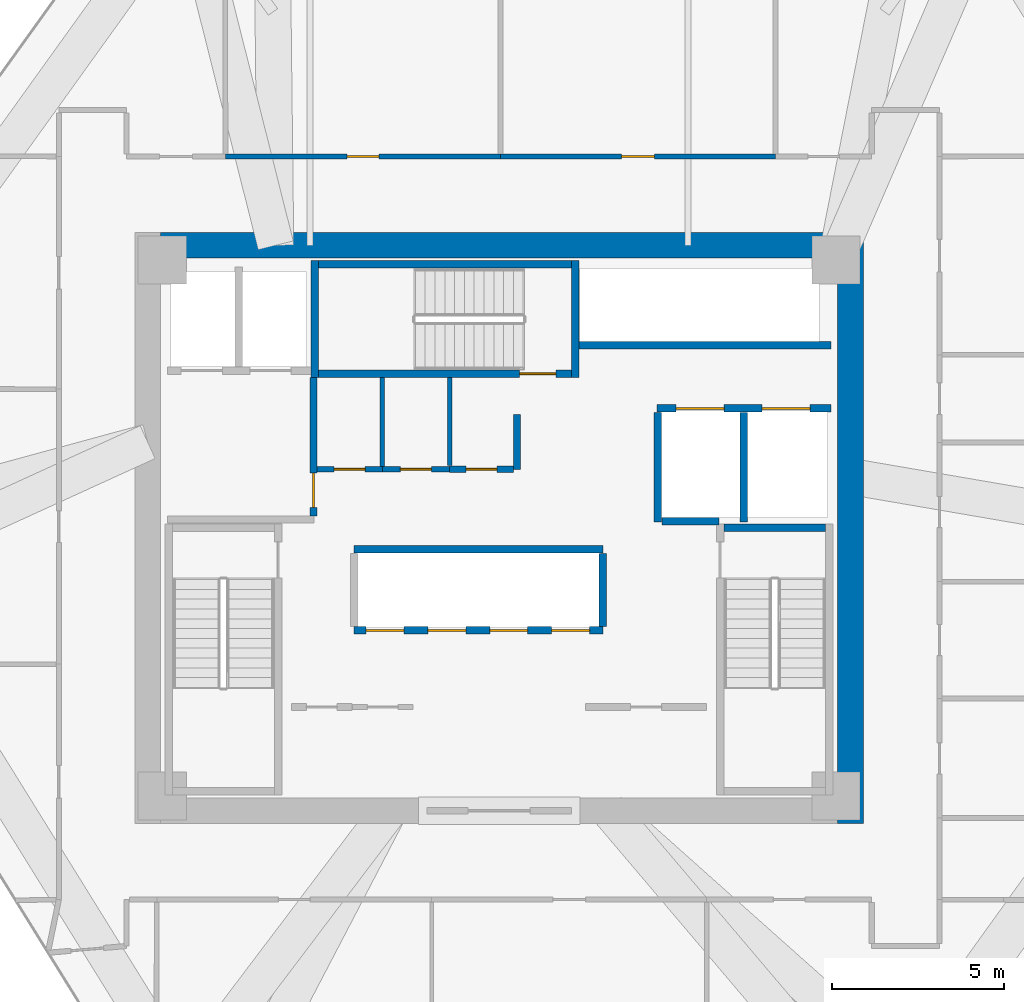
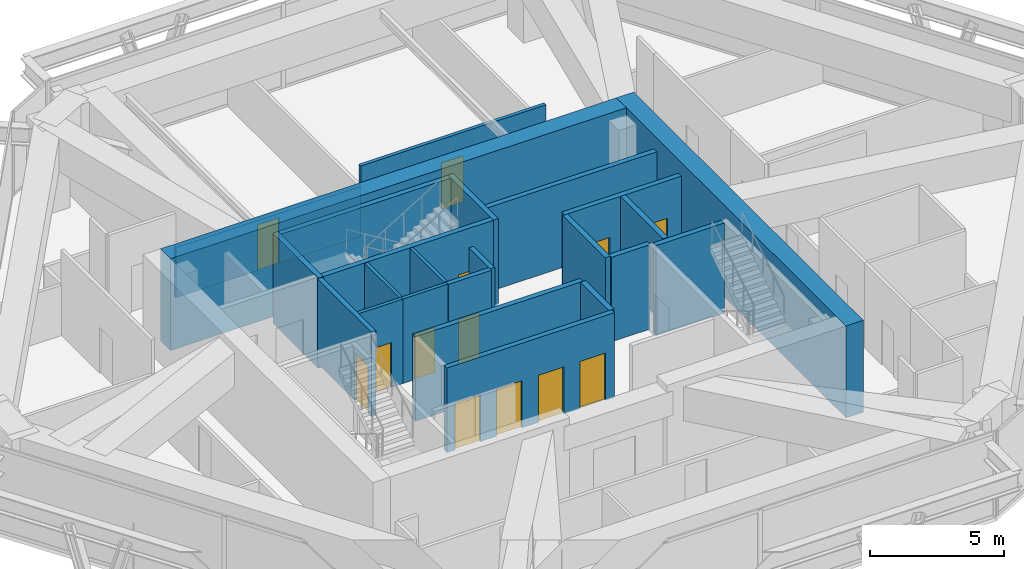
# One storey, part 11 of 14: 24 walls, 13 doors, 13 openings.
"""IFC4 building model written with IfcOpenShell, lengths in metres."""

from ifc_helpers import new_model, si_unit, direction, frame, frame_2d, origin, place, context, subcontext, project, spatial, rectangle, extrude, source, transform, mapped, material, layer, layer_set, type_object, type_shapes, element, fill, save


model = new_model("IFC4")

# Units and contexts
model_context = context("Model", 3, precision=1e-05, world=origin(), true_north=direction((0.0, 1.0)))
body_context = subcontext(model_context, "Body", "Model", "MODEL_VIEW")
ifc_project = project(units=[si_unit("LENGTHUNIT", "METRE"), si_unit("AREAUNIT", "SQUARE_METRE"), si_unit("VOLUMEUNIT", "CUBIC_METRE"), si_unit("PLANEANGLEUNIT", "RADIAN"), si_unit("MASSUNIT", "GRAM", prefix="KILO")], contexts=[model_context])

# Site, building, storey
site_placement = place(None, origin())
site = spatial("IfcSite", under=ifc_project, at=site_placement, CompositionType="ELEMENT")
building_placement = place(site_placement, origin())
building = spatial("IfcBuilding", under=site, at=building_placement, Name="Durnholm Broadcast Tower", CompositionType="ELEMENT")
storey_placement = place(building_placement, frame((0.0, 0.0, 146.10009765625)))
storey = spatial("IfcBuildingStorey", under=building, at=storey_placement, Name="L40", CompositionType="ELEMENT", Elevation=146.10009765625)

# Walls
ifc_material_1 = material(Name="Concrete C70/85", Category="concrete")
ifc_layer_1 = layer(ifc_material_1, 0.75)
ifc_layer_set_1 = layer_set([ifc_layer_1], Name="Concrete C70/85")
wall_type_1 = type_object("IfcWallType", Name="WALL-CW-750", PredefinedType="SHEAR", material=ifc_layer_set_1)
wall_1_placement = place(storey_placement, frame((10.22509765625, -8.60009765625, 0.0), z_axis=(0.0, 0.0, 1.0), x_axis=(0.0, 1.0, 0.0)))
element("IfcWall", 1, at=wall_1_placement, inside=storey, type_object=wall_type_1, Name="L40 central core shear wall CW-EAST", PredefinedType="SHEAR", context=body_context, shape_type="SweptSolid", body=[
    extrude(rectangle(XDim=17.2001953125, YDim=0.75, at=frame_2d((8.60009765625, 0.0))), origin(), (0.0, 0.0, 1.0), 4.199951171875),
])
wall_2_placement = place(storey_placement, frame((-9.85009765625, 8.22509765625, 0.0), z_axis=(0.0, 0.0, 1.0), x_axis=(1.0, 0.0, 0.0)))
element("IfcWall", 2, at=wall_2_placement, inside=storey, type_object=wall_type_1, Name="L40 central core shear wall CW-N", PredefinedType="SHEAR", context=body_context, shape_type="SweptSolid", body=[
    extrude(rectangle(XDim=19.7001953125, YDim=0.75, at=frame_2d((9.85009765625, 0.0))), origin(), (0.0, 0.0, 1.0), 4.199951171875),
])

# Wall, opening, door
ifc_material_2 = material(Name="Fire-Rated Gypsum Shaftwall", Category="concrete")
ifc_layer_2 = layer(ifc_material_2, 0.199951171875)
ifc_layer_set_2 = layer_set([ifc_layer_2], Name="Fire-Rated Gypsum Shaftwall")
wall_type_2 = type_object("IfcWallType", Name="WALL-LOB-200", PredefinedType="SOLIDWALL", material=ifc_layer_set_2)
wall_3_placement = place(storey_placement, frame((-5.39990234375, 0.35400390625, 0.0), z_axis=(0.0, 0.0, 1.0), x_axis=(0.0, 1.0, 0.0)))
wall_3 = element("IfcWall", 3, at=wall_3_placement, inside=storey, type_object=wall_type_2, Name="L40 Fire Service Access Elevator lobby east fire wall", PredefinedType="SOLIDWALL", context=body_context, shape_type="SweptSolid", body=[
    extrude(rectangle(XDim=4.02587890625, YDim=0.199951171875, at=frame_2d((2.012939453125, 0.0))), origin(), (0.0, 0.0, 1.0), 3.864990234375),
])
opening_1_placement = place(wall_3_placement, frame((0.24609375, 0.0, 0.0)))
opening_1 = element("IfcOpeningElement", 4, at=opening_1_placement, cuts=wall_3, Name="Opening DL-60L", PredefinedType="OPENING", context=body_context, shape_type="SweptSolid", body=[
    extrude(rectangle(XDim=1.0, YDim=2.14990234375, at=frame_2d((0.5, 1.074951171875))), frame((0.0, 0.10986328125, 0.0), z_axis=(0.0, -1.0, 0.0), x_axis=(1.0, 0.0, 0.0)), (0.0, 0.0, 1.0), 0.219970703125),
])
ifc_material_3 = material(Name="Fire-Rated Timber/Steel Door", Category="steel")
ifc_layer_3 = layer(ifc_material_3, 0.050048828125)
ifc_layer_set_3 = layer_set([ifc_layer_3], Name="Fire-Rated Timber/Steel Door")
door_type_1 = type_object("IfcDoorType", Name="DOOR-LOB-FD60-L", OperationType="NOTDEFINED", PredefinedType="DOOR", material=ifc_layer_set_3)
shared_shape_1 = source(origin(), body_context, "Body", "SweptSolid", [
    extrude(rectangle(XDim=1.0, YDim=2.14990234375, at=frame_2d((0.5, 1.074951171875))), frame((0.0, 0.02490234375, 0.0), z_axis=(0.0, -1.0, 0.0), x_axis=(1.0, 0.0, 0.0)), (0.0, 0.0, 1.0), 0.050048828125),
])
type_shapes(door_type_1, [shared_shape_1])
door_1_placement = place(opening_1_placement, origin())
door_1 = element("IfcDoor", 5, at=door_1_placement, inside=storey, type_object=door_type_1, Name="L40 Fire Service Access Elevator lobby smoke door", OperationType="SINGLE_SWING_LEFT", OverallHeight=2.14990234375, OverallWidth=1.0, PredefinedType="DOOR", context=body_context, shape_type="MappedRepresentation", body=[
    mapped(shared_shape_1, transform((0.0, 0.0, 0.0), x_axis=(1.0, 0.0, 0.0), y_axis=(0.0, 1.0, 0.0), z_axis=(0.0, 0.0, 1.0), scale=1.0)),
])
fill(opening_1, door_1)

# Wall
wall_4_placement = place(storey_placement, frame((0.52001953125, 3.300048828125, 0.0), z_axis=(0.0, 0.0, 1.0), x_axis=(0.0, -1.0, 0.0)))
element("IfcWall", 6, at=wall_4_placement, inside=storey, type_object=wall_type_2, Name="L40 Core Telecom Patch Room corridor partition", PredefinedType="SOLIDWALL", context=body_context, shape_type="SweptSolid", body=[
    extrude(rectangle(XDim=1.590087890625, YDim=0.199951171875, at=frame_2d((0.794921875, 0.0))), origin(), (0.0, 0.0, 1.0), 3.864990234375),
])

# Wall, opening, door
wall_5_placement = place(storey_placement, frame((0.416015625, 1.7099609375, 0.0), z_axis=(0.0, 0.0, 1.0), x_axis=(-1.0, 0.0, 0.0)))
wall_5 = element("IfcWall", 7, at=wall_5_placement, inside=storey, type_object=wall_type_2, Name="L40 Core Telecom Patch Room corridor partition", PredefinedType="SOLIDWALL", context=body_context, shape_type="SweptSolid", body=[
    extrude(rectangle(XDim=1.85595703125, YDim=0.199951171875, at=frame_2d((0.927978515625, 0.0))), origin(), (0.0, 0.0, 1.0), 3.864990234375),
])
opening_2_placement = place(wall_5_placement, frame((0.47802734375, 0.0, 0.0)))
opening_2 = element("IfcOpeningElement", 8, at=opening_2_placement, cuts=wall_5, Name="Opening DC-60L", PredefinedType="OPENING", context=body_context, shape_type="SweptSolid", body=[
    extrude(rectangle(XDim=0.89990234375, YDim=2.050048828125, at=frame_2d((0.449951171875, 1.02490234375))), frame((0.0, 0.10986328125, 0.0), z_axis=(0.0, -1.0, 0.0), x_axis=(1.0, 0.0, 0.0)), (0.0, 0.0, 1.0), 0.219970703125),
])
ifc_material_4 = material(Name="Fire-Rated Core Service Door", Category="steel")
ifc_layer_4 = layer(ifc_material_4, 0.050048828125)
ifc_layer_set_4 = layer_set([ifc_layer_4], Name="Fire-Rated Core Service Door")
door_type_2 = type_object("IfcDoorType", Name="DOOR-CORE-FD60-L", OperationType="NOTDEFINED", PredefinedType="DOOR", material=ifc_layer_set_4)
shared_shape_2 = source(origin(), body_context, "Body", "SweptSolid", [
    extrude(rectangle(XDim=0.89990234375, YDim=2.050048828125, at=frame_2d((0.449951171875, 1.02490234375))), frame((0.0, 0.02490234375, 0.0), z_axis=(0.0, -1.0, 0.0), x_axis=(1.0, 0.0, 0.0)), (0.0, 0.0, 1.0), 0.050048828125),
])
type_shapes(door_type_2, [shared_shape_2])
door_2_placement = place(opening_2_placement, origin())
door_2 = element("IfcDoor", 9, at=door_2_placement, inside=storey, type_object=door_type_2, Name="L40 Core Telecom Patch Room entrance door", OperationType="SINGLE_SWING_LEFT", OverallHeight=2.050048828125, OverallWidth=0.89990234375, PredefinedType="DOOR", context=body_context, shape_type="MappedRepresentation", body=[
    mapped(shared_shape_2, transform((0.0, 0.0, 0.0), x_axis=(1.0, 0.0, 0.0), y_axis=(0.0, 1.0, 0.0), z_axis=(0.0, 0.0, 1.0), scale=1.0)),
])
fill(opening_2, door_2)

# Walls
ifc_material_5 = material(Name="Gypsum Metal Stud Partition", Category="concrete")
ifc_layer_5 = layer(ifc_material_5, 0.135009765625)
ifc_layer_set_5 = layer_set([ifc_layer_5], Name="Gypsum Metal Stud Partition")
wall_type_3 = type_object("IfcWallType", Name="WALL-PART-135", PredefinedType="PARTITIONING", material=ifc_layer_set_5)
wall_6_placement = place(storey_placement, frame((-3.39990234375, 4.375, 0.0), z_axis=(0.0, 0.0, 1.0), x_axis=(0.0, -1.0, 0.0)))
element("IfcWall", 10, at=wall_6_placement, inside=storey, type_object=wall_type_3, Name="L40 room dividing partition 4.5", PredefinedType="PARTITIONING", context=body_context, shape_type="SweptSolid", body=[
    extrude(rectangle(XDim=2.5859375, YDim=0.135009765625, at=frame_2d((1.29296875, 0.0))), origin(), (0.0, 0.0, 1.0), 3.864990234375),
])
wall_7_placement = place(storey_placement, frame((-1.43994140625, 4.375, 0.0), z_axis=(0.0, 0.0, 1.0), x_axis=(0.0, -1.0, 0.0)))
element("IfcWall", 11, at=wall_7_placement, inside=storey, type_object=wall_type_3, Name="L40 room dividing partition 5.6", PredefinedType="PARTITIONING", context=body_context, shape_type="SweptSolid", body=[
    extrude(rectangle(XDim=2.56103515625, YDim=0.135009765625, at=frame_2d((1.280517578125, 0.0))), origin(), (0.0, 0.0, 1.0), 3.864990234375),
])

# Wall, opening, door
ifc_material_6 = material(Name="Acoustic Gypsum Stud Partition", Category="concrete")
ifc_layer_6 = layer(ifc_material_6, 0.14990234375)
ifc_layer_set_6 = layer_set([ifc_layer_6], Name="Acoustic Gypsum Stud Partition")
wall_type_4 = type_object("IfcWallType", Name="WALL-PART-150", PredefinedType="PARTITIONING", material=ifc_layer_set_6)
wall_8_placement = place(storey_placement, frame((-3.39990234375, 1.7099609375, 0.0), z_axis=(0.0, 0.0, 1.0), x_axis=(-1.0, 0.0, 0.0)))
wall_8 = element("IfcWall", 12, at=wall_8_placement, inside=storey, type_object=wall_type_4, Name="L40 Core Copy and Print Closet corridor partition", PredefinedType="PARTITIONING", context=body_context, shape_type="SweptSolid", body=[
    extrude(rectangle(XDim=1.89599609375, YDim=0.14990234375, at=frame_2d((0.947998046875, 0.0))), origin(), (0.0, 0.0, 1.0), 3.864990234375),
])
opening_3_placement = place(wall_8_placement, frame((0.498046875, 0.0, 0.0)))
opening_3 = element("IfcOpeningElement", 13, at=opening_3_placement, cuts=wall_8, Name="Opening DC-60L", PredefinedType="OPENING", context=body_context, shape_type="SweptSolid", body=[
    extrude(rectangle(XDim=0.89990234375, YDim=2.050048828125, at=frame_2d((0.449951171875, 1.02490234375))), frame((0.0, 0.0849609375, 0.0), z_axis=(0.0, -1.0, 0.0), x_axis=(1.0, 0.0, 0.0)), (0.0, 0.0, 1.0), 0.169921875),
])
door_3_placement = place(opening_3_placement, origin())
door_3 = element("IfcDoor", 14, at=door_3_placement, inside=storey, type_object=door_type_2, Name="L40 Core Copy and Print Closet entrance door", OperationType="SINGLE_SWING_LEFT", OverallHeight=2.050048828125, OverallWidth=0.89990234375, PredefinedType="DOOR", context=body_context, shape_type="MappedRepresentation", body=[
    mapped(shared_shape_2, transform((0.0, 0.0, 0.0), x_axis=(1.0, 0.0, 0.0), y_axis=(0.0, 1.0, 0.0), z_axis=(0.0, 0.0, 1.0), scale=1.0)),
])
fill(opening_3, door_3)

wall_9_placement = place(storey_placement, frame((-1.43994140625, 1.7099609375, 0.0), z_axis=(0.0, 0.0, 1.0), x_axis=(-1.0, 0.0, 0.0)))
wall_9 = element("IfcWall", 15, at=wall_9_placement, inside=storey, type_object=wall_type_4, Name="L40 Core Janitor Supply Closet corridor partition", PredefinedType="PARTITIONING", context=body_context, shape_type="SweptSolid", body=[
    extrude(rectangle(XDim=1.9599609375, YDim=0.14990234375, at=frame_2d((0.97998046875, 0.0))), origin(), (0.0, 0.0, 1.0), 3.864990234375),
])
opening_4_placement = place(wall_9_placement, frame((0.530029296875, 0.0, 0.0)))
opening_4 = element("IfcOpeningElement", 16, at=opening_4_placement, cuts=wall_9, Name="Opening DC-60R", PredefinedType="OPENING", context=body_context, shape_type="SweptSolid", body=[
    extrude(rectangle(XDim=0.89990234375, YDim=2.050048828125, at=frame_2d((0.449951171875, 1.02490234375))), frame((0.0, 0.0849609375, 0.0), z_axis=(0.0, -1.0, 0.0), x_axis=(1.0, 0.0, 0.0)), (0.0, 0.0, 1.0), 0.169921875),
])
ifc_layer_7 = layer(ifc_material_4, 0.050048828125)
ifc_layer_set_7 = layer_set([ifc_layer_7], Name="Fire-Rated Core Service Door")
door_type_3 = type_object("IfcDoorType", Name="DOOR-CORE-FD60-R", OperationType="NOTDEFINED", PredefinedType="DOOR", material=ifc_layer_set_7)
shared_shape_3 = source(origin(), body_context, "Body", "SweptSolid", [
    extrude(rectangle(XDim=0.89990234375, YDim=2.050048828125, at=frame_2d((0.449951171875, 1.02490234375))), frame((0.0, 0.02490234375, 0.0), z_axis=(0.0, -1.0, 0.0), x_axis=(1.0, 0.0, 0.0)), (0.0, 0.0, 1.0), 0.050048828125),
])
type_shapes(door_type_3, [shared_shape_3])
door_4_placement = place(opening_4_placement, origin())
door_4 = element("IfcDoor", 17, at=door_4_placement, inside=storey, type_object=door_type_3, Name="L40 Core Janitor Supply Closet entrance door", OperationType="SINGLE_SWING_RIGHT", OverallHeight=2.050048828125, OverallWidth=0.89990234375, PredefinedType="DOOR", context=body_context, shape_type="MappedRepresentation", body=[
    mapped(shared_shape_3, transform((0.0, 0.0, 0.0), x_axis=(1.0, 0.0, 0.0), y_axis=(0.0, 1.0, 0.0), z_axis=(0.0, 0.0, 1.0), scale=1.0)),
])
fill(opening_4, door_4)

wall_10_placement = place(storey_placement, frame((0.0400390625, 10.81005859375, 0.0), z_axis=(0.0, 0.0, 1.0), x_axis=(-1.0, 0.0, 0.0)))
wall_10 = element("IfcWall", 18, at=wall_10_placement, inside=storey, type_object=wall_type_4, Name="L40 Compliance Office 2 corridor partition", PredefinedType="PARTITIONING", context=body_context, shape_type="SweptSolid", body=[
    extrude(rectangle(XDim=8.0, YDim=0.14990234375, at=frame_2d((4.0, 0.0))), origin(), (0.0, 0.0, 1.0), 2.2998046875),
])
opening_5_placement = place(wall_10_placement, frame((3.5400390625, 0.0, 0.0)))
opening_5 = element("IfcOpeningElement", 19, at=opening_5_placement, cuts=wall_10, Name="Opening DR-92R", PredefinedType="OPENING", context=body_context, shape_type="SweptSolid", body=[
    extrude(rectangle(XDim=0.919921875, YDim=2.10009765625, at=frame_2d((0.4599609375, 1.050048828125))), frame((0.0, 0.0849609375, 0.0), z_axis=(0.0, -1.0, 0.0), x_axis=(1.0, 0.0, 0.0)), (0.0, 0.0, 1.0), 0.169921875),
])
ifc_material_7 = material(Name="Oak Veneer Office Door", Category="wood")
ifc_layer_8 = layer(ifc_material_7, 0.050048828125)
ifc_layer_set_8 = layer_set([ifc_layer_8], Name="Oak Veneer Office Door")
door_type_4 = type_object("IfcDoorType", Name="DOOR-RM-920R", OperationType="NOTDEFINED", PredefinedType="DOOR", material=ifc_layer_set_8)
shared_shape_4 = source(origin(), body_context, "Body", "SweptSolid", [
    extrude(rectangle(XDim=0.919921875, YDim=2.10009765625, at=frame_2d((0.4599609375, 1.050048828125))), frame((0.0, 0.02490234375, 0.0), z_axis=(0.0, -1.0, 0.0), x_axis=(1.0, 0.0, 0.0)), (0.0, 0.0, 1.0), 0.050048828125),
])
type_shapes(door_type_4, [shared_shape_4])
door_5_placement = place(opening_5_placement, origin())
door_5 = element("IfcDoor", 20, at=door_5_placement, inside=storey, type_object=door_type_4, Name="L40 Compliance Office 2 entrance door", OperationType="SINGLE_SWING_RIGHT", OverallHeight=2.10009765625, OverallWidth=0.919921875, PredefinedType="DOOR", context=body_context, shape_type="MappedRepresentation", body=[
    mapped(shared_shape_4, transform((0.0, 0.0, 0.0), x_axis=(1.0, 0.0, 0.0), y_axis=(0.0, 1.0, 0.0), z_axis=(0.0, 0.0, 1.0), scale=1.0)),
])
fill(opening_5, door_5)

wall_11_placement = place(storey_placement, frame((8.0400390625, 10.81005859375, 0.0), z_axis=(0.0, 0.0, 1.0), x_axis=(-1.0, 0.0, 0.0)))
wall_11 = element("IfcWall", 21, at=wall_11_placement, inside=storey, type_object=wall_type_4, Name="L40 Captioning Office corridor partition", PredefinedType="PARTITIONING", context=body_context, shape_type="SweptSolid", body=[
    extrude(rectangle(XDim=8.0, YDim=0.14990234375, at=frame_2d((4.0, 0.0))), origin(), (0.0, 0.0, 1.0), 3.22314453125),
])
opening_6_placement = place(wall_11_placement, frame((3.52490234375, 0.0, 0.0)))
opening_6 = element("IfcOpeningElement", 22, at=opening_6_placement, cuts=wall_11, Name="Opening DR-95L", PredefinedType="OPENING", context=body_context, shape_type="SweptSolid", body=[
    extrude(rectangle(XDim=0.949951171875, YDim=2.10009765625, at=frame_2d((0.47509765625, 1.050048828125))), frame((0.0, 0.0849609375, 0.0), z_axis=(0.0, -1.0, 0.0), x_axis=(1.0, 0.0, 0.0)), (0.0, 0.0, 1.0), 0.169921875),
])
ifc_material_8 = material(Name="Acoustic Oak Veneer Timber Door", Category="wood")
ifc_layer_9 = layer(ifc_material_8, 0.050048828125)
ifc_layer_set_9 = layer_set([ifc_layer_9], Name="Acoustic Oak Veneer Timber Door")
door_type_5 = type_object("IfcDoorType", Name="DOOR-RM-950L", OperationType="NOTDEFINED", PredefinedType="DOOR", material=ifc_layer_set_9)
shared_shape_5 = source(origin(), body_context, "Body", "SweptSolid", [
    extrude(rectangle(XDim=0.949951171875, YDim=2.10009765625, at=frame_2d((0.47509765625, 1.050048828125))), frame((0.0, 0.02490234375, 0.0), z_axis=(0.0, -1.0, 0.0), x_axis=(1.0, 0.0, 0.0)), (0.0, 0.0, 1.0), 0.050048828125),
])
type_shapes(door_type_5, [shared_shape_5])
door_6_placement = place(opening_6_placement, origin())
door_6 = element("IfcDoor", 23, at=door_6_placement, inside=storey, type_object=door_type_5, Name="L40 Captioning Office entrance door", OperationType="SINGLE_SWING_LEFT", OverallHeight=2.10009765625, OverallWidth=0.949951171875, PredefinedType="DOOR", context=body_context, shape_type="MappedRepresentation", body=[
    mapped(shared_shape_5, transform((0.0, 0.0, 0.0), x_axis=(1.0, 0.0, 0.0), y_axis=(0.0, 1.0, 0.0), z_axis=(0.0, 0.0, 1.0), scale=1.0)),
])
fill(opening_6, door_6)

# Wall, openings, doors
ifc_material_9 = material(Name="Concrete Blockwork C30/37", Category="masonry")
ifc_layer_10 = layer(ifc_material_9, 0.219970703125)
ifc_layer_set_10 = layer_set([ifc_layer_10], Name="Concrete Blockwork C30/37")
wall_type_5 = type_object("IfcWallType", Name="WALL-SHAFT-220", PredefinedType="SOLIDWALL", material=ifc_layer_set_10)
wall_12_placement = place(storey_placement, frame((4.60009765625, 3.47998046875, 0.0), z_axis=(0.0, 0.0, 1.0), x_axis=(1.0, 0.0, 0.0)))
wall_12 = element("IfcWall", 24, at=wall_12_placement, inside=storey, type_object=wall_type_5, Name="L40 freight service lifts north front wall", PredefinedType="SOLIDWALL", context=body_context, shape_type="SweptSolid", body=[
    extrude(rectangle(XDim=5.0498046875, YDim=0.219970703125, at=frame_2d((2.52490234375, 0.0))), origin(), (0.0, 0.0, 1.0), 3.864990234375),
])
opening_7_placement = place(wall_12_placement, frame((0.550048828125, 0.0, 0.0)))
opening_7 = element("IfcOpeningElement", 25, at=opening_7_placement, cuts=wall_12, Name="Opening LD-SVL-2", PredefinedType="OPENING", context=body_context, shape_type="SweptSolid", body=[
    extrude(rectangle(XDim=1.39990234375, YDim=2.14990234375, at=frame_2d((0.699951171875, 1.074951171875))), frame((0.0, 0.1201171875, 0.0), z_axis=(0.0, -1.0, 0.0), x_axis=(1.0, 0.0, 0.0)), (0.0, 0.0, 1.0), 0.239990234375),
])
opening_8_placement = place(wall_12_placement, frame((3.050048828125, 0.0, 0.0)))
opening_8 = element("IfcOpeningElement", 26, at=opening_8_placement, cuts=wall_12, Name="Opening LD-SVL-1", PredefinedType="OPENING", context=body_context, shape_type="SweptSolid", body=[
    extrude(rectangle(XDim=1.39990234375, YDim=2.14990234375, at=frame_2d((0.699951171875, 1.074951171875))), frame((0.0, 0.1201171875, 0.0), z_axis=(0.0, -1.0, 0.0), x_axis=(1.0, 0.0, 0.0)), (0.0, 0.0, 1.0), 0.239990234375),
])
ifc_material_10 = material(Name="Freight Elevator Bi-Parting Sliding Landing Door", Category="steel")
ifc_layer_11 = layer(ifc_material_10, 0.050048828125)
ifc_layer_set_11 = layer_set([ifc_layer_11], Name="Freight Elevator Bi-Parting Sliding Landing Door")
door_type_6 = type_object("IfcDoorType", Name="DOOR-LIFT-SVL", OperationType="DOUBLE_DOOR_SLIDING", PredefinedType="DOOR", material=ifc_layer_set_11)
shared_shape_6 = source(origin(), body_context, "Body", "SweptSolid", [
    extrude(rectangle(XDim=1.39990234375, YDim=2.14990234375, at=frame_2d((0.699951171875, 1.074951171875))), frame((0.0, 0.02490234375, 0.0), z_axis=(0.0, -1.0, 0.0), x_axis=(1.0, 0.0, 0.0)), (0.0, 0.0, 1.0), 0.050048828125),
])
type_shapes(door_type_6, [shared_shape_6])
door_7_placement = place(opening_7_placement, origin())
door_7 = element("IfcDoor", 27, at=door_7_placement, inside=storey, type_object=door_type_6, Name="L40 freight service elevator SVL-2 sliding landing door", OperationType="DOUBLE_DOOR_SLIDING", OverallHeight=2.14990234375, OverallWidth=1.39990234375, PredefinedType="DOOR", context=body_context, shape_type="MappedRepresentation", body=[
    mapped(shared_shape_6, transform((0.0, 0.0, 0.0), x_axis=(1.0, 0.0, 0.0), y_axis=(0.0, 1.0, 0.0), z_axis=(0.0, 0.0, 1.0), scale=1.0)),
])
fill(opening_7, door_7)
door_8_placement = place(opening_8_placement, origin())
door_8 = element("IfcDoor", 28, at=door_8_placement, inside=storey, type_object=door_type_6, Name="L40 freight service elevator SVL-1 sliding landing door", OperationType="DOUBLE_DOOR_SLIDING", OverallHeight=2.14990234375, OverallWidth=1.39990234375, PredefinedType="DOOR", context=body_context, shape_type="MappedRepresentation", body=[
    mapped(shared_shape_6, transform((0.0, 0.0, 0.0), x_axis=(1.0, 0.0, 0.0), y_axis=(0.0, 1.0, 0.0), z_axis=(0.0, 0.0, 1.0), scale=1.0)),
])
fill(opening_8, door_8)

# Walls
for number, where, z_axis, x_axis, name in (
    (29, (4.6201171875, 0.179931640625, 0.0), (0.0, 0.0, 1.0), (0.0, 1.0, 0.0), "L40 freight service lift SVL-2 west wall"),
    (30, (7.1201171875, 0.179931640625, 0.0), (0.0, 0.0, 1.0), (0.0, 1.0, 0.0), "L40 freight service lifts divider wall"),
):
    element("IfcWall", number, at=place(storey_placement, frame(where, z_axis=z_axis, x_axis=x_axis)), inside=storey, type_object=wall_type_5, Name=name, PredefinedType="SOLIDWALL", context=body_context, shape_type="SweptSolid", body=[
        extrude(rectangle(XDim=3.18603515625, YDim=0.219970703125, at=frame_2d((1.593017578125, 0.0))), origin(), (0.0, 0.0, 1.0), 3.864990234375),
    ])
wall_13_placement = place(storey_placement, frame((4.73388671875, 0.199951171875, 0.0), z_axis=(0.0, 0.0, 1.0), x_axis=(1.0, 0.0, 0.0)))
element("IfcWall", 31, at=wall_13_placement, inside=storey, type_object=wall_type_5, Name="L40 freight service lift SVL-2 south wall", PredefinedType="SOLIDWALL", context=body_context, shape_type="SweptSolid", body=[
    extrude(rectangle(XDim=1.666015625, YDim=0.219970703125, at=frame_2d((0.8330078125, 0.0))), origin(), (0.0, 0.0, 1.0), 3.864990234375),
])

# Wall, openings, doors
wall_14_placement = place(storey_placement, frame((-4.219970703125, -2.97998046875, 0.0), z_axis=(0.0, 0.0, 1.0), x_axis=(1.0, 0.0, 0.0)))
wall_14 = element("IfcWall", 32, at=wall_14_placement, inside=storey, type_object=wall_type_5, Name="L40 mid-rise bank P2 south front wall", PredefinedType="SOLIDWALL", context=body_context, shape_type="SweptSolid", body=[
    extrude(rectangle(XDim=7.239990234375, YDim=0.219970703125, at=frame_2d((3.6201171875, 0.0))), origin(), (0.0, 0.0, 1.0), 3.864990234375),
])
opening_9_placement = place(wall_14_placement, frame((0.35009765625, 0.0, 0.0)))
opening_9 = element("IfcOpeningElement", 33, at=opening_9_placement, cuts=wall_14, Name="Opening LD-LP2-1", PredefinedType="OPENING", context=body_context, shape_type="SweptSolid", body=[
    extrude(rectangle(XDim=1.10009765625, YDim=2.14990234375, at=frame_2d((0.550048828125, 1.074951171875))), frame((0.0, 0.1201171875, 0.0), z_axis=(0.0, -1.0, 0.0), x_axis=(1.0, 0.0, 0.0)), (0.0, 0.0, 1.0), 0.239990234375),
])
opening_10_placement = place(wall_14_placement, frame((2.14990234375, 0.0, 0.0)))
opening_10 = element("IfcOpeningElement", 34, at=opening_10_placement, cuts=wall_14, Name="Opening LD-LP2-2", PredefinedType="OPENING", context=body_context, shape_type="SweptSolid", body=[
    extrude(rectangle(XDim=1.10009765625, YDim=2.14990234375, at=frame_2d((0.550048828125, 1.074951171875))), frame((0.0, 0.1201171875, 0.0), z_axis=(0.0, -1.0, 0.0), x_axis=(1.0, 0.0, 0.0)), (0.0, 0.0, 1.0), 0.239990234375),
])
opening_11_placement = place(wall_14_placement, frame((3.949951171875, 0.0, 0.0)))
opening_11 = element("IfcOpeningElement", 35, at=opening_11_placement, cuts=wall_14, Name="Opening LD-LP2-3", PredefinedType="OPENING", context=body_context, shape_type="SweptSolid", body=[
    extrude(rectangle(XDim=1.10009765625, YDim=2.14990234375, at=frame_2d((0.550048828125, 1.074951171875))), frame((0.0, 0.1201171875, 0.0), z_axis=(0.0, -1.0, 0.0), x_axis=(1.0, 0.0, 0.0)), (0.0, 0.0, 1.0), 0.239990234375),
])
opening_12_placement = place(wall_14_placement, frame((5.75, 0.0, 0.0)))
opening_12 = element("IfcOpeningElement", 36, at=opening_12_placement, cuts=wall_14, Name="Opening LD-LP2-4", PredefinedType="OPENING", context=body_context, shape_type="SweptSolid", body=[
    extrude(rectangle(XDim=1.10009765625, YDim=2.14990234375, at=frame_2d((0.550048828125, 1.074951171875))), frame((0.0, 0.1201171875, 0.0), z_axis=(0.0, -1.0, 0.0), x_axis=(1.0, 0.0, 0.0)), (0.0, 0.0, 1.0), 0.239990234375),
])
ifc_material_11 = material(Name="Stainless Steel Sliding Elevator Landing Door", Category="steel")
ifc_layer_12 = layer(ifc_material_11, 0.050048828125)
ifc_layer_set_12 = layer_set([ifc_layer_12], Name="Stainless Steel Sliding Elevator Landing Door")
door_type_7 = type_object("IfcDoorType", Name="DOOR-LIFT-PAX", OperationType="DOUBLE_DOOR_SLIDING", PredefinedType="DOOR", material=ifc_layer_set_12)
shared_shape_7 = source(origin(), body_context, "Body", "SweptSolid", [
    extrude(rectangle(XDim=1.10009765625, YDim=2.14990234375, at=frame_2d((0.550048828125, 1.074951171875))), frame((0.0, 0.02490234375, 0.0), z_axis=(0.0, -1.0, 0.0), x_axis=(1.0, 0.0, 0.0)), (0.0, 0.0, 1.0), 0.050048828125),
])
type_shapes(door_type_7, [shared_shape_7])
door_9_placement = place(opening_9_placement, origin())
door_9 = element("IfcDoor", 37, at=door_9_placement, inside=storey, type_object=door_type_7, Name="L40 passenger elevator LP2-1 sliding landing door", OperationType="DOUBLE_DOOR_SLIDING", OverallHeight=2.14990234375, OverallWidth=1.10009765625, PredefinedType="DOOR", context=body_context, shape_type="MappedRepresentation", body=[
    mapped(shared_shape_7, transform((0.0, 0.0, 0.0), x_axis=(1.0, 0.0, 0.0), y_axis=(0.0, 1.0, 0.0), z_axis=(0.0, 0.0, 1.0), scale=1.0)),
])
fill(opening_9, door_9)
door_10_placement = place(opening_10_placement, origin())
door_10 = element("IfcDoor", 38, at=door_10_placement, inside=storey, type_object=door_type_7, Name="L40 passenger elevator LP2-2 sliding landing door", OperationType="DOUBLE_DOOR_SLIDING", OverallHeight=2.14990234375, OverallWidth=1.10009765625, PredefinedType="DOOR", context=body_context, shape_type="MappedRepresentation", body=[
    mapped(shared_shape_7, transform((0.0, 0.0, 0.0), x_axis=(1.0, 0.0, 0.0), y_axis=(0.0, 1.0, 0.0), z_axis=(0.0, 0.0, 1.0), scale=1.0)),
])
fill(opening_10, door_10)
door_11_placement = place(opening_11_placement, origin())
door_11 = element("IfcDoor", 39, at=door_11_placement, inside=storey, type_object=door_type_7, Name="L40 passenger elevator LP2-3 sliding landing door", OperationType="DOUBLE_DOOR_SLIDING", OverallHeight=2.14990234375, OverallWidth=1.10009765625, PredefinedType="DOOR", context=body_context, shape_type="MappedRepresentation", body=[
    mapped(shared_shape_7, transform((0.0, 0.0, 0.0), x_axis=(1.0, 0.0, 0.0), y_axis=(0.0, 1.0, 0.0), z_axis=(0.0, 0.0, 1.0), scale=1.0)),
])
fill(opening_11, door_11)
door_12_placement = place(opening_12_placement, origin())
door_12 = element("IfcDoor", 40, at=door_12_placement, inside=storey, type_object=door_type_7, Name="L40 passenger elevator LP2-4 sliding landing door", OperationType="DOUBLE_DOOR_SLIDING", OverallHeight=2.14990234375, OverallWidth=1.10009765625, PredefinedType="DOOR", context=body_context, shape_type="MappedRepresentation", body=[
    mapped(shared_shape_7, transform((0.0, 0.0, 0.0), x_axis=(1.0, 0.0, 0.0), y_axis=(0.0, 1.0, 0.0), z_axis=(0.0, 0.0, 1.0), scale=1.0)),
])
fill(opening_12, door_12)

# Walls
wall_15_placement = place(storey_placement, frame((-4.219970703125, -0.6201171875, 0.0), z_axis=(0.0, 0.0, 1.0), x_axis=(1.0, 0.0, 0.0)))
element("IfcWall", 41, at=wall_15_placement, inside=storey, type_object=wall_type_5, Name="L40 mid-rise bank P2 north shaft wall", PredefinedType="SOLIDWALL", context=body_context, shape_type="SweptSolid", body=[
    extrude(rectangle(XDim=7.239990234375, YDim=0.219970703125, at=frame_2d((3.6201171875, 0.0))), origin(), (0.0, 0.0, 1.0), 3.864990234375),
])
wall_16_placement = place(storey_placement, frame((3.02001953125, -2.865966796875, 0.0), z_axis=(0.0, 0.0, 1.0), x_axis=(0.0, 1.0, 0.0)))
element("IfcWall", 42, at=wall_16_placement, inside=storey, type_object=wall_type_5, Name="L40 mid-rise bank P2 east shaft wall", PredefinedType="SOLIDWALL", context=body_context, shape_type="SweptSolid", body=[
    extrude(rectangle(XDim=2.132080078125, YDim=0.219970703125, at=frame_2d((1.06591796875, 0.0))), origin(), (0.0, 0.0, 1.0), 3.864990234375),
])
wall_17_placement = place(storey_placement, frame((2.324951171875, 5.320068359375, 0.0), z_axis=(0.0, 0.0, 1.0), x_axis=(1.0, 0.0, 0.0)))
element("IfcWall", 43, at=wall_17_placement, inside=storey, type_object=wall_type_5, Name="L40 high-rise bank P3 south front wall", PredefinedType="SOLIDWALL", context=body_context, shape_type="SweptSolid", body=[
    extrude(rectangle(XDim=7.324951171875, YDim=0.219970703125, at=frame_2d((3.66259765625, 0.0))), origin(), (0.0, 0.0, 1.0), 3.864990234375),
])
ifc_material_12 = material(Name="Concrete C50/60", Category="concrete")
ifc_layer_13 = layer(ifc_material_12, 0.219970703125)
ifc_layer_set_13 = layer_set([ifc_layer_13], Name="Concrete C50/60")
wall_type_6 = type_object("IfcWallType", Name="WALL-SW-220", PredefinedType="SHEAR", material=ifc_layer_set_13)
wall_18_placement = place(storey_placement, frame((9.5, 0.010009765625, -0.239990234375), z_axis=(0.0, 0.0, 1.0), x_axis=(-1.0, 0.0, 0.0)))
element("IfcWall", 44, at=wall_18_placement, inside=storey, type_object=wall_type_6, Name="L40 stair ST-2 structural shaft wall N", PredefinedType="SHEAR", context=body_context, shape_type="SweptSolid", body=[
    extrude(rectangle(XDim=2.9599609375, YDim=0.219970703125, at=frame_2d((1.47998046875, 0.0))), origin(), (0.0, 0.0, 1.0), 4.119873046875),
])
for number, where, z_axis, x_axis, name in (
    (45, (2.2099609375, 4.3798828125, -0.239990234375), (0.0, 0.0, 1.0), (0.0, 1.0, 0.0), "L40 stair ST-3 structural shaft wall E"),
    (46, (-5.360107421875, 7.780029296875, -0.239990234375), (0.0, 0.0, 1.0), (0.0, -1.0, 0.0), "L40 stair ST-3 structural shaft wall W"),
):
    element("IfcWall", number, at=place(storey_placement, frame(where, z_axis=z_axis, x_axis=x_axis)), inside=storey, type_object=wall_type_6, Name=name, PredefinedType="SHEAR", context=body_context, shape_type="SweptSolid", body=[
        extrude(rectangle(XDim=3.400146484375, YDim=0.219970703125, at=frame_2d((1.7001953125, 0.0))), origin(), (0.0, 0.0, 1.0), 4.119873046875),
    ])

# Wall, opening, door
wall_19_placement = place(storey_placement, frame((-5.25, 4.489990234375, -0.239990234375), z_axis=(0.0, 0.0, 1.0), x_axis=(1.0, 0.0, 0.0)))
wall_19 = element("IfcWall", 47, at=wall_19_placement, inside=storey, type_object=wall_type_6, Name="L40 stair ST-3 structural shaft wall S", PredefinedType="SHEAR", context=body_context, shape_type="SweptSolid", body=[
    extrude(rectangle(XDim=7.35009765625, YDim=0.219970703125, at=frame_2d((3.675048828125, 0.0))), origin(), (0.0, 0.0, 1.0), 4.119873046875),
])
opening_13_placement = place(wall_19_placement, frame((5.85009765625, 0.0, 0.0)))
opening_13 = element("IfcOpeningElement", 48, at=opening_13_placement, cuts=wall_19, Name="Opening DS-90L", PredefinedType="OPENING", context=body_context, shape_type="SweptSolid", body=[
    extrude(rectangle(XDim=1.050048828125, YDim=2.14990234375, at=frame_2d((0.52490234375, 1.074951171875))), frame((0.0, 0.1201171875, 0.0), z_axis=(0.0, -1.0, 0.0), x_axis=(1.0, 0.0, 0.0)), (0.0, 0.0, 1.0), 0.239990234375),
])
ifc_material_13 = material(Name="Fire-Rated Steel Door", Category="steel")
ifc_layer_14 = layer(ifc_material_13, 0.050048828125)
ifc_layer_set_14 = layer_set([ifc_layer_14], Name="Fire-Rated Steel Door")
door_type_8 = type_object("IfcDoorType", Name="DOOR-ST-FD90-L", OperationType="NOTDEFINED", PredefinedType="DOOR", material=ifc_layer_set_14)
shared_shape_8 = source(origin(), body_context, "Body", "SweptSolid", [
    extrude(rectangle(XDim=1.050048828125, YDim=2.14990234375, at=frame_2d((0.52490234375, 1.074951171875))), frame((0.0, 0.02490234375, 0.0), z_axis=(0.0, -1.0, 0.0), x_axis=(1.0, 0.0, 0.0)), (0.0, 0.0, 1.0), 0.050048828125),
])
type_shapes(door_type_8, [shared_shape_8])
door_13_placement = place(opening_13_placement, origin())
door_13 = element("IfcDoor", 49, at=door_13_placement, inside=storey, type_object=door_type_8, Name="L40 exit stair ST-3 fire door", OperationType="SINGLE_SWING_LEFT", OverallHeight=2.14990234375, OverallWidth=1.050048828125, PredefinedType="DOOR", context=body_context, shape_type="MappedRepresentation", body=[
    mapped(shared_shape_8, transform((0.0, 0.0, 0.0), x_axis=(1.0, 0.0, 0.0), y_axis=(0.0, 1.0, 0.0), z_axis=(0.0, 0.0, 1.0), scale=1.0)),
])
fill(opening_13, door_13)

# Wall
wall_20_placement = place(storey_placement, frame((2.10009765625, 7.669921875, -0.239990234375), z_axis=(0.0, 0.0, 1.0), x_axis=(-1.0, 0.0, 0.0)))
element("IfcWall", 50, at=wall_20_placement, inside=storey, type_object=wall_type_6, Name="L40 stair ST-3 structural shaft wall N", PredefinedType="SHEAR", context=body_context, shape_type="SweptSolid", body=[
    extrude(rectangle(XDim=7.35009765625, YDim=0.219970703125, at=frame_2d((3.675048828125, 0.0))), origin(), (0.0, 0.0, 1.0), 4.119873046875),
])

save(model, "model.ifc")
